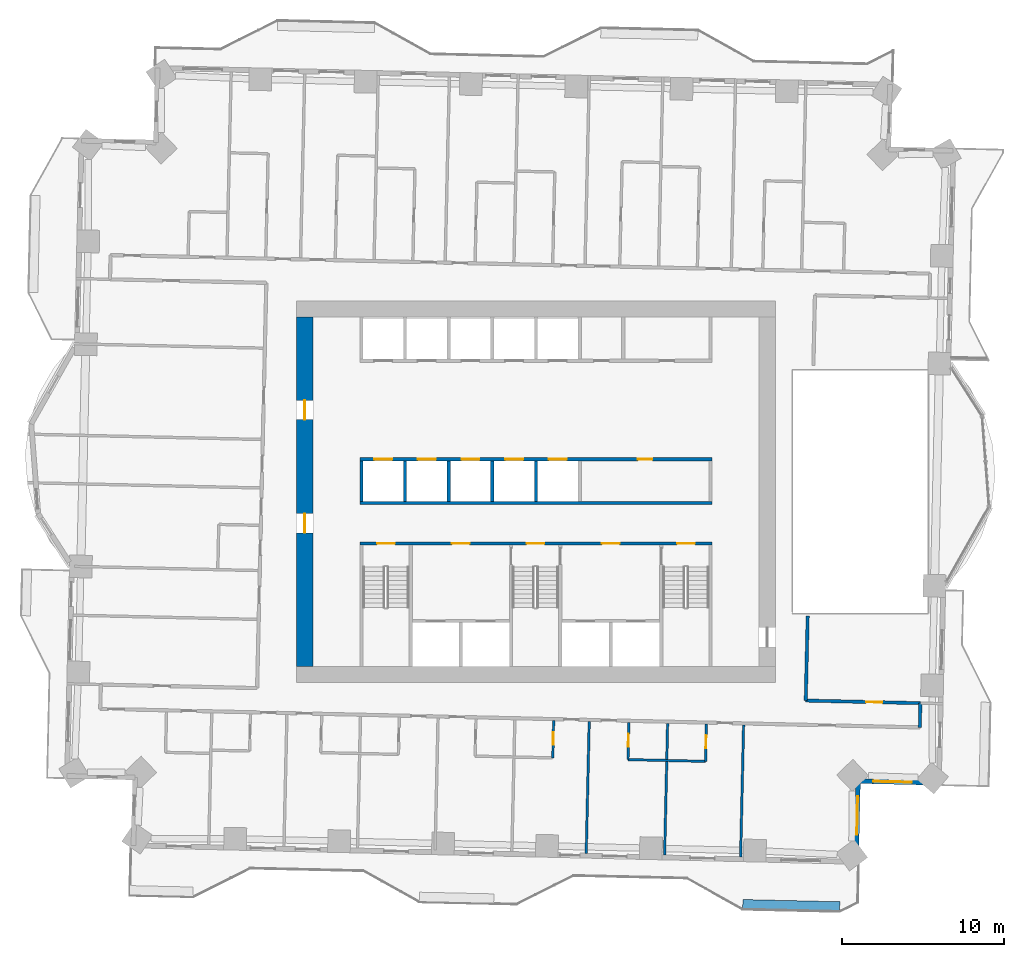
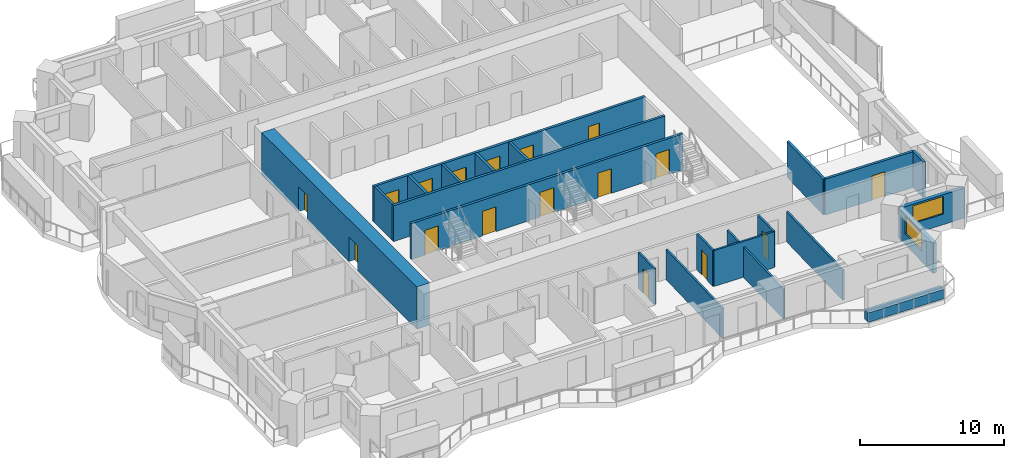
# One storey, part 8 of 16: 22 walls, 17 doors, 2 windows, 19 openings.
"""IFC4 building model written with IfcOpenShell, lengths in metres."""

from ifc_helpers import new_model, si_unit, direction, frame, frame_2d, origin, place, context, subcontext, project, spatial, rectangle, extrude, material, layer, layer_set, type_object, element, fill, save


model = new_model("IFC4")

# Units and contexts
model_context = context("Model", 3, precision=1e-05, world=origin(), true_north=direction((0.0, 1.0)))
body_context = subcontext(model_context, "Body", "Model", "MODEL_VIEW")
ifc_project = project(units=[si_unit("LENGTHUNIT", "METRE"), si_unit("AREAUNIT", "SQUARE_METRE"), si_unit("VOLUMEUNIT", "CUBIC_METRE"), si_unit("PLANEANGLEUNIT", "RADIAN"), si_unit("MASSUNIT", "GRAM", prefix="KILO")], contexts=[model_context])

# Site, building, storey
site_placement = place(None, origin())
site = spatial("IfcSite", under=ifc_project, at=site_placement, CompositionType="ELEMENT")
building_placement = place(site_placement, origin())
building = spatial("IfcBuilding", under=site, at=building_placement, Name="Mangrove Gate Tower", CompositionType="ELEMENT")
storey_placement = place(building_placement, frame((0.0, 0.0, 105.5)))
storey = spatial("IfcBuildingStorey", under=building, at=storey_placement, Name="L26", CompositionType="ELEMENT", Elevation=105.5)

# Wall
ifc_material_1 = material(Name="Concrete C70/85", Category="concrete")
ifc_layer_1 = layer(ifc_material_1, 0.199951171875)
ifc_layer_set_1 = layer_set([ifc_layer_1], Name="Core shaft wall 200 C70/85")
wall_type_1 = type_object("IfcWallType", Name="Core shaft wall 200 C70/85", PredefinedType="SHEAR", material=ifc_layer_set_1)
wall_1_placement = place(storey_placement, frame((-10.89990234375, -0.699951171875, 0.0), z_axis=(0.0, 0.0, 1.0), x_axis=(1.0, 0.0, 0.0)))
element("IfcWall", 1, at=wall_1_placement, inside=storey, type_object=wall_type_1, Name="WALL-L26-CORE-6", PredefinedType="SHEAR", context=body_context, shape_type="SweptSolid", body=[
    extrude(rectangle(XDim=21.7998046875, YDim=0.199951171875, at=frame_2d((10.89990234375, 0.0))), origin(), (0.0, 0.0, 1.0), 3.050048828125),
])

# Wall, openings, doors
wall_2_placement = place(storey_placement, frame((-10.89990234375, 2.0, 0.0), z_axis=(0.0, 0.0, 1.0), x_axis=(1.0, 0.0, 0.0)))
wall_2 = element("IfcWall", 2, at=wall_2_placement, inside=storey, type_object=wall_type_1, Name="WALL-L26-CORE-7", PredefinedType="SHEAR", context=body_context, shape_type="SweptSolid", body=[
    extrude(rectangle(XDim=21.7998046875, YDim=0.199951171875, at=frame_2d((10.89990234375, 0.0))), origin(), (0.0, 0.0, 1.0), 3.050048828125),
])
opening_1_placement = place(wall_2_placement, frame((0.89990234375, 0.0, 0.0)))
opening_1 = element("IfcOpeningElement", 3, at=opening_1_placement, cuts=wall_2, Name="Opening LD", PredefinedType="OPENING", context=body_context, shape_type="SweptSolid", body=[
    extrude(rectangle(XDim=1.10009765625, YDim=2.10009765625, at=frame_2d((0.550048828125, 1.050048828125))), frame((0.0, 0.10986328125, 0.0), z_axis=(0.0, -1.0, 0.0), x_axis=(1.0, 0.0, 0.0)), (0.0, 0.0, 1.0), 0.219970703125),
])
opening_2_placement = place(wall_2_placement, frame((3.60009765625, 0.0, 0.0)))
opening_2 = element("IfcOpeningElement", 4, at=opening_2_placement, cuts=wall_2, Name="Opening LD", PredefinedType="OPENING", context=body_context, shape_type="SweptSolid", body=[
    extrude(rectangle(XDim=1.10009765625, YDim=2.10009765625, at=frame_2d((0.550048828125, 1.050048828125))), frame((0.0, 0.10986328125, 0.0), z_axis=(0.0, -1.0, 0.0), x_axis=(1.0, 0.0, 0.0)), (0.0, 0.0, 1.0), 0.219970703125),
])
opening_3_placement = place(wall_2_placement, frame((6.300048828125, 0.0, 0.0)))
opening_3 = element("IfcOpeningElement", 5, at=opening_3_placement, cuts=wall_2, Name="Opening LD", PredefinedType="OPENING", context=body_context, shape_type="SweptSolid", body=[
    extrude(rectangle(XDim=1.10009765625, YDim=2.10009765625, at=frame_2d((0.550048828125, 1.050048828125))), frame((0.0, 0.10986328125, 0.0), z_axis=(0.0, -1.0, 0.0), x_axis=(1.0, 0.0, 0.0)), (0.0, 0.0, 1.0), 0.219970703125),
])
opening_4_placement = place(wall_2_placement, frame((9.0, 0.0, 0.0)))
opening_4 = element("IfcOpeningElement", 6, at=opening_4_placement, cuts=wall_2, Name="Opening LD", PredefinedType="OPENING", context=body_context, shape_type="SweptSolid", body=[
    extrude(rectangle(XDim=1.10009765625, YDim=2.10009765625, at=frame_2d((0.550048828125, 1.050048828125))), frame((0.0, 0.10986328125, 0.0), z_axis=(0.0, -1.0, 0.0), x_axis=(1.0, 0.0, 0.0)), (0.0, 0.0, 1.0), 0.219970703125),
])
opening_5_placement = place(wall_2_placement, frame((11.699951171875, 0.0, 0.0)))
opening_5 = element("IfcOpeningElement", 7, at=opening_5_placement, cuts=wall_2, Name="Opening LD", PredefinedType="OPENING", context=body_context, shape_type="SweptSolid", body=[
    extrude(rectangle(XDim=1.10009765625, YDim=2.10009765625, at=frame_2d((0.550048828125, 1.050048828125))), frame((0.0, 0.10986328125, 0.0), z_axis=(0.0, -1.0, 0.0), x_axis=(1.0, 0.0, 0.0)), (0.0, 0.0, 1.0), 0.219970703125),
])
opening_6_placement = place(wall_2_placement, frame((17.199951171875, 0.0, 0.0)))
opening_6 = element("IfcOpeningElement", 8, at=opening_6_placement, cuts=wall_2, Name="Opening RD", PredefinedType="OPENING", context=body_context, shape_type="SweptSolid", body=[
    extrude(rectangle(XDim=0.89990234375, YDim=2.10009765625, at=frame_2d((0.449951171875, 1.050048828125))), frame((0.0, 0.10986328125, 0.0), z_axis=(0.0, -1.0, 0.0), x_axis=(1.0, 0.0, 0.0)), (0.0, 0.0, 1.0), 0.219970703125),
])
ifc_material_2 = material(Name="Stainless steel 316", Category="steel")
door_type_1 = type_object("IfcDoorType", Name="Lift landing door 1100x2100", OperationType="SLIDING_TO_LEFT", PredefinedType="DOOR", material=ifc_material_2)
door_1_placement = place(opening_1_placement, origin())
door_1 = element("IfcDoor", 9, at=door_1_placement, inside=storey, type_object=door_type_1, Name="Landing door LD P01", OperationType="SLIDING_TO_LEFT", OverallHeight=2.10009765625, OverallWidth=1.10009765625, PredefinedType="DOOR", context=body_context, shape_type="SweptSolid", body=[
    extrude(rectangle(XDim=1.10009765625, YDim=2.10009765625, at=frame_2d((0.550048828125, 1.050048828125))), frame((0.0, 0.02490234375, 0.0), z_axis=(0.0, -1.0, 0.0), x_axis=(1.0, 0.0, 0.0)), (0.0, 0.0, 1.0), 0.050048828125),
])
fill(opening_1, door_1)
door_2_placement = place(opening_2_placement, origin())
door_2 = element("IfcDoor", 10, at=door_2_placement, inside=storey, type_object=door_type_1, Name="Landing door LD P02", OperationType="SLIDING_TO_LEFT", OverallHeight=2.10009765625, OverallWidth=1.10009765625, PredefinedType="DOOR", context=body_context, shape_type="SweptSolid", body=[
    extrude(rectangle(XDim=1.10009765625, YDim=2.10009765625, at=frame_2d((0.550048828125, 1.050048828125))), frame((0.0, 0.02490234375, 0.0), z_axis=(0.0, -1.0, 0.0), x_axis=(1.0, 0.0, 0.0)), (0.0, 0.0, 1.0), 0.050048828125),
])
fill(opening_2, door_2)
door_3_placement = place(opening_3_placement, origin())
door_3 = element("IfcDoor", 11, at=door_3_placement, inside=storey, type_object=door_type_1, Name="Landing door LD P03", OperationType="SLIDING_TO_LEFT", OverallHeight=2.10009765625, OverallWidth=1.10009765625, PredefinedType="DOOR", context=body_context, shape_type="SweptSolid", body=[
    extrude(rectangle(XDim=1.10009765625, YDim=2.10009765625, at=frame_2d((0.550048828125, 1.050048828125))), frame((0.0, 0.02490234375, 0.0), z_axis=(0.0, -1.0, 0.0), x_axis=(1.0, 0.0, 0.0)), (0.0, 0.0, 1.0), 0.050048828125),
])
fill(opening_3, door_3)
door_4_placement = place(opening_4_placement, origin())
door_4 = element("IfcDoor", 12, at=door_4_placement, inside=storey, type_object=door_type_1, Name="Landing door LD P04", OperationType="SLIDING_TO_LEFT", OverallHeight=2.10009765625, OverallWidth=1.10009765625, PredefinedType="DOOR", context=body_context, shape_type="SweptSolid", body=[
    extrude(rectangle(XDim=1.10009765625, YDim=2.10009765625, at=frame_2d((0.550048828125, 1.050048828125))), frame((0.0, 0.02490234375, 0.0), z_axis=(0.0, -1.0, 0.0), x_axis=(1.0, 0.0, 0.0)), (0.0, 0.0, 1.0), 0.050048828125),
])
fill(opening_4, door_4)
door_5_placement = place(opening_5_placement, origin())
door_5 = element("IfcDoor", 13, at=door_5_placement, inside=storey, type_object=door_type_1, Name="Landing door LD P05", OperationType="SLIDING_TO_LEFT", OverallHeight=2.10009765625, OverallWidth=1.10009765625, PredefinedType="DOOR", context=body_context, shape_type="SweptSolid", body=[
    extrude(rectangle(XDim=1.10009765625, YDim=2.10009765625, at=frame_2d((0.550048828125, 1.050048828125))), frame((0.0, 0.02490234375, 0.0), z_axis=(0.0, -1.0, 0.0), x_axis=(1.0, 0.0, 0.0)), (0.0, 0.0, 1.0), 0.050048828125),
])
fill(opening_5, door_5)
ifc_material_3 = material(Name="Fire-rated steel door set", Category="steel")
door_type_2 = type_object("IfcDoorType", Name="Riser door FD30S 900x2100", OperationType="SINGLE_SWING_LEFT", PredefinedType="DOOR", material=ifc_material_3)
door_6_placement = place(opening_6_placement, origin())
door_6 = element("IfcDoor", 14, at=door_6_placement, inside=storey, type_object=door_type_2, Name="Riser door Electrical room", OperationType="SINGLE_SWING_LEFT", OverallHeight=2.10009765625, OverallWidth=0.89990234375, PredefinedType="DOOR", context=body_context, shape_type="SweptSolid", body=[
    extrude(rectangle(XDim=0.89990234375, YDim=2.10009765625, at=frame_2d((0.449951171875, 1.050048828125))), frame((0.0, 0.02490234375, 0.0), z_axis=(0.0, -1.0, 0.0), x_axis=(1.0, 0.0, 0.0)), (0.0, 0.0, 1.0), 0.050048828125),
])
fill(opening_6, door_6)

# Walls
for number, where, z_axis, x_axis, name in (
    (15, (-10.800048828125, -0.60009765625, 0.0), (0.0, 0.0, 1.0), (0.0, 1.0, 0.0), "WALL-L26-CORE-19"),
    (16, (-8.10009765625, -0.60009765625, 0.0), (0.0, 0.0, 1.0), (0.0, 1.0, 0.0), "WALL-L26-CORE-20"),
    (17, (-5.39990234375, -0.60009765625, 0.0), (0.0, 0.0, 1.0), (0.0, 1.0, 0.0), "WALL-L26-CORE-21"),
    (18, (-2.699951171875, -0.60009765625, 0.0), (0.0, 0.0, 1.0), (0.0, 1.0, 0.0), "WALL-L26-CORE-22"),
    (19, (0.0, -0.60009765625, 0.0), (0.0, 0.0, 1.0), (0.0, 1.0, 0.0), "WALL-L26-CORE-23"),
):
    element("IfcWall", number, at=place(storey_placement, frame(where, z_axis=z_axis, x_axis=x_axis)), inside=storey, type_object=wall_type_1, Name=name, PredefinedType="SHEAR", context=body_context, shape_type="SweptSolid", body=[
        extrude(rectangle(XDim=2.5, YDim=0.199951171875, at=frame_2d((1.25, 0.0))), origin(), (0.0, 0.0, 1.0), 3.050048828125),
    ])

# Wall, openings, doors
ifc_material_4 = material(Name="Concrete C70/85", Category="concrete")
ifc_layer_2 = layer(ifc_material_4, 0.199951171875)
ifc_layer_set_2 = layer_set([ifc_layer_2], Name="Core stair wall 200 C70/85")
wall_type_2 = type_object("IfcWallType", Name="Core stair wall 200 C70/85", PredefinedType="SHEAR", material=ifc_layer_set_2)
wall_3_placement = place(storey_placement, frame((-10.89990234375, -3.199951171875, 0.0), z_axis=(0.0, 0.0, 1.0), x_axis=(1.0, 0.0, 0.0)))
wall_3 = element("IfcWall", 20, at=wall_3_placement, inside=storey, type_object=wall_type_2, Name="WALL-L26-CORE-5", PredefinedType="SHEAR", context=body_context, shape_type="SweptSolid", body=[
    extrude(rectangle(XDim=21.7998046875, YDim=0.199951171875, at=frame_2d((10.89990234375, 0.0))), origin(), (0.0, 0.0, 1.0), 3.050048828125),
])
opening_7_placement = place(wall_3_placement, frame((1.074951171875, 0.0, 0.0)))
opening_7 = element("IfcOpeningElement", 21, at=opening_7_placement, cuts=wall_3, Name="Opening STD11", PredefinedType="OPENING", context=body_context, shape_type="SweptSolid", body=[
    extrude(rectangle(XDim=1.10009765625, YDim=2.10009765625, at=frame_2d((0.550048828125, 1.050048828125))), frame((0.0, 0.10986328125, 0.0), z_axis=(0.0, -1.0, 0.0), x_axis=(1.0, 0.0, 0.0)), (0.0, 0.0, 1.0), 0.219970703125),
])
opening_8_placement = place(wall_3_placement, frame((10.324951171875, 0.0, 0.0)))
opening_8 = element("IfcOpeningElement", 22, at=opening_8_placement, cuts=wall_3, Name="Opening STD11", PredefinedType="OPENING", context=body_context, shape_type="SweptSolid", body=[
    extrude(rectangle(XDim=1.10009765625, YDim=2.10009765625, at=frame_2d((0.550048828125, 1.050048828125))), frame((0.0, 0.10986328125, 0.0), z_axis=(0.0, -1.0, 0.0), x_axis=(1.0, 0.0, 0.0)), (0.0, 0.0, 1.0), 0.219970703125),
])
opening_9_placement = place(wall_3_placement, frame((19.625, 0.0, 0.0)))
opening_9 = element("IfcOpeningElement", 23, at=opening_9_placement, cuts=wall_3, Name="Opening STD11", PredefinedType="OPENING", context=body_context, shape_type="SweptSolid", body=[
    extrude(rectangle(XDim=1.10009765625, YDim=2.10009765625, at=frame_2d((0.550048828125, 1.050048828125))), frame((0.0, 0.10986328125, 0.0), z_axis=(0.0, -1.0, 0.0), x_axis=(1.0, 0.0, 0.0)), (0.0, 0.0, 1.0), 0.219970703125),
])
opening_10_placement = place(wall_3_placement, frame((5.699951171875, 0.0, 0.0)))
opening_10 = element("IfcOpeningElement", 24, at=opening_10_placement, cuts=wall_3, Name="Opening FL", PredefinedType="OPENING", context=body_context, shape_type="SweptSolid", body=[
    extrude(rectangle(XDim=1.10009765625, YDim=2.10009765625, at=frame_2d((0.550048828125, 1.050048828125))), frame((0.0, 0.10986328125, 0.0), z_axis=(0.0, -1.0, 0.0), x_axis=(1.0, 0.0, 0.0)), (0.0, 0.0, 1.0), 0.219970703125),
])
opening_11_placement = place(wall_3_placement, frame((14.97509765625, 0.0, 0.0)))
opening_11 = element("IfcOpeningElement", 25, at=opening_11_placement, cuts=wall_3, Name="Opening FL", PredefinedType="OPENING", context=body_context, shape_type="SweptSolid", body=[
    extrude(rectangle(XDim=1.10009765625, YDim=2.10009765625, at=frame_2d((0.550048828125, 1.050048828125))), frame((0.0, 0.10986328125, 0.0), z_axis=(0.0, -1.0, 0.0), x_axis=(1.0, 0.0, 0.0)), (0.0, 0.0, 1.0), 0.219970703125),
])
ifc_material_5 = material(Name="Fire-rated steel door set", Category="steel")
door_type_3 = type_object("IfcDoorType", Name="Lobby door FD60 1100x2100", OperationType="SINGLE_SWING_LEFT", PredefinedType="DOOR", material=ifc_material_5)
door_7_placement = place(opening_10_placement, origin())
door_7 = element("IfcDoor", 26, at=door_7_placement, inside=storey, type_object=door_type_3, Name="Lobby door service lobby", OperationType="SINGLE_SWING_LEFT", OverallHeight=2.10009765625, OverallWidth=1.10009765625, PredefinedType="DOOR", context=body_context, shape_type="SweptSolid", body=[
    extrude(rectangle(XDim=1.10009765625, YDim=2.10009765625, at=frame_2d((0.550048828125, 1.050048828125))), frame((0.0, 0.02490234375, 0.0), z_axis=(0.0, -1.0, 0.0), x_axis=(1.0, 0.0, 0.0)), (0.0, 0.0, 1.0), 0.050048828125),
])
fill(opening_10, door_7)
door_8_placement = place(opening_11_placement, origin())
door_8 = element("IfcDoor", 27, at=door_8_placement, inside=storey, type_object=door_type_3, Name="Lobby door fire-fighting lobby", OperationType="SINGLE_SWING_LEFT", OverallHeight=2.10009765625, OverallWidth=1.10009765625, PredefinedType="DOOR", context=body_context, shape_type="SweptSolid", body=[
    extrude(rectangle(XDim=1.10009765625, YDim=2.10009765625, at=frame_2d((0.550048828125, 1.050048828125))), frame((0.0, 0.02490234375, 0.0), z_axis=(0.0, -1.0, 0.0), x_axis=(1.0, 0.0, 0.0)), (0.0, 0.0, 1.0), 0.050048828125),
])
fill(opening_11, door_8)
ifc_material_6 = material(Name="Fire-rated steel door set", Category="steel")
door_type_4 = type_object("IfcDoorType", Name="Stair door FD60 1100x2100", OperationType="SINGLE_SWING_RIGHT", PredefinedType="DOOR", material=ifc_material_6)
door_9_placement = place(opening_7_placement, origin())
door_9 = element("IfcDoor", 28, at=door_9_placement, inside=storey, type_object=door_type_4, Name="Stair door Stair 1", OperationType="SINGLE_SWING_RIGHT", OverallHeight=2.10009765625, OverallWidth=1.10009765625, PredefinedType="DOOR", context=body_context, shape_type="SweptSolid", body=[
    extrude(rectangle(XDim=1.10009765625, YDim=2.10009765625, at=frame_2d((0.550048828125, 1.050048828125))), frame((0.0, 0.02490234375, 0.0), z_axis=(0.0, -1.0, 0.0), x_axis=(1.0, 0.0, 0.0)), (0.0, 0.0, 1.0), 0.050048828125),
])
fill(opening_7, door_9)
door_10_placement = place(opening_8_placement, origin())
door_10 = element("IfcDoor", 29, at=door_10_placement, inside=storey, type_object=door_type_4, Name="Stair door Stair 2", OperationType="SINGLE_SWING_RIGHT", OverallHeight=2.10009765625, OverallWidth=1.10009765625, PredefinedType="DOOR", context=body_context, shape_type="SweptSolid", body=[
    extrude(rectangle(XDim=1.10009765625, YDim=2.10009765625, at=frame_2d((0.550048828125, 1.050048828125))), frame((0.0, 0.02490234375, 0.0), z_axis=(0.0, -1.0, 0.0), x_axis=(1.0, 0.0, 0.0)), (0.0, 0.0, 1.0), 0.050048828125),
])
fill(opening_8, door_10)
door_11_placement = place(opening_9_placement, origin())
door_11 = element("IfcDoor", 30, at=door_11_placement, inside=storey, type_object=door_type_4, Name="Stair door Stair 3", OperationType="SINGLE_SWING_RIGHT", OverallHeight=2.10009765625, OverallWidth=1.10009765625, PredefinedType="DOOR", context=body_context, shape_type="SweptSolid", body=[
    extrude(rectangle(XDim=1.10009765625, YDim=2.10009765625, at=frame_2d((0.550048828125, 1.050048828125))), frame((0.0, 0.02490234375, 0.0), z_axis=(0.0, -1.0, 0.0), x_axis=(1.0, 0.0, 0.0)), (0.0, 0.0, 1.0), 0.050048828125),
])
fill(opening_9, door_11)

ifc_material_7 = material(Name="Concrete C70/85", Category="concrete")
ifc_layer_3 = layer(ifc_material_7, 1.0)
ifc_layer_set_3 = layer_set([ifc_layer_3], Name="Core wall 1000 C70/85")
wall_type_3 = type_object("IfcWallType", Name="Core wall 1000 C70/85", PredefinedType="SHEAR", material=ifc_layer_set_3)
wall_4_placement = place(storey_placement, frame((-14.300048828125, -10.800048828125, 0.0), z_axis=(0.0, 0.0, 1.0), x_axis=(0.0, 1.0, 0.0)))
wall_4 = element("IfcWall", 31, at=wall_4_placement, inside=storey, type_object=wall_type_3, Name="WALL-L26-CORE-3", PredefinedType="SHEAR", context=body_context, shape_type="SweptSolid", body=[
    extrude(rectangle(XDim=21.60009765625, YDim=1.0, at=frame_2d((10.800048828125, 0.0))), origin(), (0.0, 0.0, 1.0), 3.60009765625),
])
opening_12_placement = place(wall_4_placement, frame((8.25, 0.0, 0.0)))
opening_12 = element("IfcOpeningElement", 32, at=opening_12_placement, cuts=wall_4, Name="Opening CD", PredefinedType="OPENING", context=body_context, shape_type="SweptSolid", body=[
    extrude(rectangle(XDim=1.199951171875, YDim=2.10009765625, at=frame_2d((0.60009765625, 1.050048828125))), frame((0.0, 0.510009765625, 0.0), z_axis=(0.0, -1.0, 0.0), x_axis=(1.0, 0.0, 0.0)), (0.0, 0.0, 1.0), 1.02001953125),
])
opening_13_placement = place(wall_4_placement, frame((15.25, 0.0, 0.0)))
opening_13 = element("IfcOpeningElement", 33, at=opening_13_placement, cuts=wall_4, Name="Opening CD", PredefinedType="OPENING", context=body_context, shape_type="SweptSolid", body=[
    extrude(rectangle(XDim=1.199951171875, YDim=2.10009765625, at=frame_2d((0.60009765625, 1.050048828125))), frame((0.0, 0.510009765625, 0.0), z_axis=(0.0, -1.0, 0.0), x_axis=(1.0, 0.0, 0.0)), (0.0, 0.0, 1.0), 1.02001953125),
])
ifc_material_8 = material(Name="Fire-rated steel door set", Category="steel")
door_type_5 = type_object("IfcDoorType", Name="Core ring door FD60 1200x2100", OperationType="DOUBLE_DOOR_SINGLE_SWING", PredefinedType="DOOR", material=ifc_material_8)
door_12_placement = place(opening_12_placement, origin())
door_12 = element("IfcDoor", 34, at=door_12_placement, inside=storey, type_object=door_type_5, Name="Core ring door W1", OperationType="DOUBLE_DOOR_SINGLE_SWING", OverallHeight=2.10009765625, OverallWidth=1.199951171875, PredefinedType="DOOR", context=body_context, shape_type="SweptSolid", body=[
    extrude(rectangle(XDim=1.199951171875, YDim=2.10009765625, at=frame_2d((0.60009765625, 1.050048828125))), frame((0.0, 0.02490234375, 0.0), z_axis=(0.0, -1.0, 0.0), x_axis=(1.0, 0.0, 0.0)), (0.0, 0.0, 1.0), 0.050048828125),
])
fill(opening_12, door_12)
door_13_placement = place(opening_13_placement, origin())
door_13 = element("IfcDoor", 35, at=door_13_placement, inside=storey, type_object=door_type_5, Name="Core ring door W2", OperationType="DOUBLE_DOOR_SINGLE_SWING", OverallHeight=2.10009765625, OverallWidth=1.199951171875, PredefinedType="DOOR", context=body_context, shape_type="SweptSolid", body=[
    extrude(rectangle(XDim=1.199951171875, YDim=2.10009765625, at=frame_2d((0.60009765625, 1.050048828125))), frame((0.0, 0.02490234375, 0.0), z_axis=(0.0, -1.0, 0.0), x_axis=(1.0, 0.0, 0.0)), (0.0, 0.0, 1.0), 0.050048828125),
])
fill(opening_13, door_13)

# Wall
ifc_material_9 = material(Name="Gypsum board on steel stud, EI 60", Category="steel")
ifc_layer_4 = layer(ifc_material_9, 0.199951171875)
ifc_layer_set_4 = layer_set([ifc_layer_4], Name="Corridor wall EI 60")
wall_type_4 = type_object("IfcWallType", Name="Corridor wall EI 60", PredefinedType="PARTITIONING", material=ifc_layer_set_4)
wall_5_placement = place(storey_placement, frame((23.738037109375, -14.5791015625, 0.0), z_axis=(0.0, 0.0, 1.0), x_axis=(0.022617910375, 0.999744182344, 0.0)))
element("IfcWall", 36, at=wall_5_placement, inside=storey, type_object=wall_type_4, Name="WALL-L26-024", PredefinedType="PARTITIONING", context=body_context, shape_type="SweptSolid", body=[
    extrude(rectangle(XDim=1.50048828125, YDim=0.199951171875, at=frame_2d((0.750244140625, 0.0))), origin(), (0.0, 0.0, 1.0), 3.050048828125),
])

# Wall, opening, door
wall_6_placement = place(storey_placement, frame((16.678955078125, -12.91796875, 0.0), z_axis=(0.0, 0.0, 1.0), x_axis=(0.999739218926, -0.02283624622, 0.0)))
wall_6 = element("IfcWall", 37, at=wall_6_placement, inside=storey, type_object=wall_type_4, Name="WALL-L26-028", PredefinedType="PARTITIONING", context=body_context, shape_type="SweptSolid", body=[
    extrude(rectangle(XDim=7.098876953125, YDim=0.199951171875, at=frame_2d((3.54931640625, 0.0))), origin(), (0.0, 0.0, 1.0), 3.050048828125),
])
opening_14_placement = place(wall_6_placement, frame((3.7490234375, 0.0, 0.0)))
opening_14 = element("IfcOpeningElement", 38, at=opening_14_placement, cuts=wall_6, Name="Opening AD", PredefinedType="OPENING", context=body_context, shape_type="SweptSolid", body=[
    extrude(rectangle(XDim=1.0, YDim=2.10009765625, at=frame_2d((0.5, 1.050048828125))), frame((0.0, 0.10986328125, 0.0), z_axis=(0.0, -1.0, 0.0), x_axis=(1.0, 0.0, 0.0)), (0.0, 0.0, 1.0), 0.219970703125),
])
ifc_material_10 = material(Name="Timber door leaf", Category="wood")
door_type_6 = type_object("IfcDoorType", Name="Amenity door 1000", OperationType="SINGLE_SWING_LEFT", PredefinedType="DOOR", material=ifc_material_10)
door_14_placement = place(opening_14_placement, origin())
door_14 = element("IfcDoor", 39, at=door_14_placement, inside=storey, type_object=door_type_6, Name="DOOR-L26-KIT-c3a", OperationType="SINGLE_SWING_LEFT", OverallHeight=2.10009765625, OverallWidth=1.0, PredefinedType="DOOR", context=body_context, shape_type="SweptSolid", body=[
    extrude(rectangle(XDim=1.0, YDim=2.10009765625, at=frame_2d((0.5, 1.050048828125))), frame((0.0, 0.02490234375, 0.0), z_axis=(0.0, -1.0, 0.0), x_axis=(1.0, 0.0, 0.0)), (0.0, 0.0, 1.0), 0.050048828125),
])
fill(opening_14, door_14)

# Wall
wall_7_placement = place(storey_placement, frame((16.68408203125, -12.9189453125, 0.0), z_axis=(0.0, 0.0, 1.0), x_axis=(0.022667483124, 0.999743059595, 0.0)))
element("IfcWall", 40, at=wall_7_placement, inside=storey, type_object=wall_type_4, Name="WALL-L26-029", PredefinedType="PARTITIONING", context=body_context, shape_type="SweptSolid", body=[
    extrude(rectangle(XDim=5.245361328125, YDim=0.199951171875, at=frame_2d((2.62255859375, 0.0))), origin(), (0.0, 0.0, 1.0), 3.050048828125),
])

# Wall, opening, window
ifc_material_11 = material(Name="Limestone", Category="masonry")
ifc_layer_5 = layer(ifc_material_11, 0.0400390625, Name="Limestone cladding")
ifc_material_12 = material(Name="Ventilated air gap")
ifc_layer_6 = layer(ifc_material_12, 0.0400390625, Name="Ventilated cavity")
ifc_material_13 = material(Name="Mineral wool insulation")
ifc_layer_7 = layer(ifc_material_13, 0.06005859375, Name="Insulation")
ifc_material_14 = material(Name="Breather membrane")
ifc_layer_8 = layer(ifc_material_14, 0.001953125, Name="Breather membrane")
ifc_material_15 = material(Name="Concrete C20/25 blockwork", Category="masonry")
ifc_layer_9 = layer(ifc_material_15, 0.14990234375, Name="Blockwork backing wall")
ifc_material_16 = material(Name="Gypsum plaster")
ifc_layer_10 = layer(ifc_material_16, 0.008056640625, Name="Internal plaster")
ifc_layer_set_5 = layer_set([ifc_layer_5, ifc_layer_6, ifc_layer_7, ifc_layer_8, ifc_layer_9, ifc_layer_10], Name="External wall 300 limestone cladding")
wall_type_5 = type_object("IfcWallType", Name="External wall 300 limestone cladding", PredefinedType="SOLIDWALL", material=ifc_layer_set_5)
wall_8_placement = place(storey_placement, frame((19.802978515625, -22.89208984375, 0.0), z_axis=(0.0, 0.0, 1.0), x_axis=(0.022606059803, 0.999744450377, 0.0)))
wall_8 = element("IfcWall", 41, at=wall_8_placement, inside=storey, type_object=wall_type_5, Name="WALL-L26-E14", PredefinedType="SOLIDWALL", context=body_context, shape_type="SweptSolid", body=[
    extrude(rectangle(XDim=5.000244140625, YDim=0.300048828125, at=frame_2d((2.5, 0.0))), origin(), (0.0, 0.0, 1.0), 2.550048828125),
])
opening_15_placement = place(wall_8_placement, frame((1.669921875, 0.0, 0.89990234375)))
opening_15 = element("IfcOpeningElement", 42, at=opening_15_placement, cuts=wall_8, Name="Opening W2", PredefinedType="OPENING", context=body_context, shape_type="SweptSolid", body=[
    extrude(rectangle(XDim=2.39990234375, YDim=1.5, at=frame_2d((1.199951171875, 0.75))), frame((0.0, 0.159912109375, 0.0), z_axis=(0.0, -1.0, 0.0), x_axis=(1.0, 0.0, 0.0)), (0.0, 0.0, 1.0), 0.320068359375),
])
ifc_material_17 = material(Name="Aluminium frame with double-glazed low-e glass", Category="aluminium")
window_type = type_object("IfcWindowType", Name="Corner room window 2400x1500", PartitioningType="DOUBLE_PANEL_VERTICAL", PredefinedType="WINDOW", material=ifc_material_17)
window_1_placement = place(opening_15_placement, origin())
window_1 = element("IfcWindow", 43, at=window_1_placement, inside=storey, type_object=window_type, Name="WIN-L26-E14-1", OverallHeight=1.5, OverallWidth=2.39990234375, PartitioningType="DOUBLE_PANEL_VERTICAL", PredefinedType="WINDOW", context=body_context, shape_type="SweptSolid", body=[
    extrude(rectangle(XDim=2.39990234375, YDim=1.5, at=frame_2d((1.199951171875, 0.75))), frame((0.0, 0.030029296875, 0.0), z_axis=(0.0, -1.0, 0.0), x_axis=(1.0, 0.0, 0.0)), (0.0, 0.0, 1.0), 0.06005859375),
])
fill(opening_15, window_1)

wall_9_placement = place(storey_placement, frame((19.916015625, -17.89306640625, 0.0), z_axis=(0.0, 0.0, 1.0), x_axis=(0.999740017489, -0.022801259434, 0.0)))
wall_9 = element("IfcWall", 44, at=wall_9_placement, inside=storey, type_object=wall_type_5, Name="WALL-L26-S15", PredefinedType="SOLIDWALL", context=body_context, shape_type="SweptSolid", body=[
    extrude(rectangle(XDim=5.000244140625, YDim=0.300048828125, at=frame_2d((2.5, 0.0))), origin(), (0.0, 0.0, 1.0), 2.550048828125),
])
opening_16_placement = place(wall_9_placement, frame((0.93310546875, 0.0, 0.89990234375)))
opening_16 = element("IfcOpeningElement", 45, at=opening_16_placement, cuts=wall_9, Name="Opening W2", PredefinedType="OPENING", context=body_context, shape_type="SweptSolid", body=[
    extrude(rectangle(XDim=2.39990234375, YDim=1.5, at=frame_2d((1.199951171875, 0.75))), frame((0.0, 0.159912109375, 0.0), z_axis=(0.0, -1.0, 0.0), x_axis=(1.0, 0.0, 0.0)), (0.0, 0.0, 1.0), 0.320068359375),
])
window_2_placement = place(opening_16_placement, origin())
window_2 = element("IfcWindow", 46, at=window_2_placement, inside=storey, type_object=window_type, Name="WIN-L26-S15-1", OverallHeight=1.5, OverallWidth=2.39990234375, PartitioningType="DOUBLE_PANEL_VERTICAL", PredefinedType="WINDOW", context=body_context, shape_type="SweptSolid", body=[
    extrude(rectangle(XDim=2.39990234375, YDim=1.5, at=frame_2d((1.199951171875, 0.75))), frame((0.0, 0.030029296875, 0.0), z_axis=(0.0, -1.0, 0.0), x_axis=(1.0, 0.0, 0.0)), (0.0, 0.0, 1.0), 0.06005859375),
])
fill(opening_16, window_2)

# Walls
ifc_material_18 = material(Name="Gypsum board on steel stud, EI 60", Category="steel")
ifc_layer_11 = layer(ifc_material_18, 0.14990234375)
ifc_layer_set_6 = layer_set([ifc_layer_11], Name="Party wall 150 EI 60")
wall_type_6 = type_object("IfcWallType", Name="Party wall 150 EI 60", PredefinedType="PARTITIONING", material=ifc_layer_set_6)
for number, where, z_axis, x_axis, name in (
    (47, (3.10595703125, -22.363037109375, 0.0), (0.0, 0.0, 1.0), (0.022706435224, 0.999742175663, 0.0), "WALL-L26-006"),
    (48, (7.955078125, -22.472900390625, 0.0), (0.0, 0.0, 1.0), (0.022676494918, 0.999742855227, 0.0), "WALL-L26-007"),
):
    element("IfcWall", number, at=place(storey_placement, frame(where, z_axis=z_axis, x_axis=x_axis)), inside=storey, type_object=wall_type_6, Name=name, PredefinedType="PARTITIONING", context=body_context, shape_type="SweptSolid", body=[
        extrude(rectangle(XDim=8.150146484375, YDim=0.14990234375, at=frame_2d((4.0751953125, 0.0))), origin(), (0.0, 0.0, 1.0), 2.550048828125),
    ])
wall_10_placement = place(storey_placement, frame((12.654052734375, -22.580078125, 0.0), z_axis=(0.0, 0.0, 1.0), x_axis=(0.022705755232, 0.999742191107, 0.0)))
element("IfcWall", 49, at=wall_10_placement, inside=storey, type_object=wall_type_6, Name="WALL-L26-008", PredefinedType="PARTITIONING", context=body_context, shape_type="SweptSolid", body=[
    extrude(rectangle(XDim=8.150390625, YDim=0.14990234375, at=frame_2d((4.0751953125, 0.0))), origin(), (0.0, 0.0, 1.0), 2.550048828125),
])

# Wall, opening, door
wall_11_placement = place(storey_placement, frame((1.0400390625, -16.465087890625, 0.0), z_axis=(0.0, 0.0, 1.0), x_axis=(0.022603288534, 0.999744513037, 0.0)))
wall_11 = element("IfcWall", 50, at=wall_11_placement, inside=storey, type_object=wall_type_6, Name="WALL-L26-018", PredefinedType="PARTITIONING", context=body_context, shape_type="SweptSolid", body=[
    extrude(rectangle(XDim=2.300537109375, YDim=0.14990234375, at=frame_2d((1.150390625, 0.0))), origin(), (0.0, 0.0, 1.0), 3.050048828125),
])
opening_17_placement = place(wall_11_placement, frame((0.800048828125, 0.0, 0.0)))
opening_17 = element("IfcOpeningElement", 51, at=opening_17_placement, cuts=wall_11, Name="Opening ED", PredefinedType="OPENING", context=body_context, shape_type="SweptSolid", body=[
    extrude(rectangle(XDim=0.800048828125, YDim=2.10009765625, at=frame_2d((0.39990234375, 1.050048828125))), frame((0.0, 0.0849609375, 0.0), z_axis=(0.0, -1.0, 0.0), x_axis=(1.0, 0.0, 0.0)), (0.0, 0.0, 1.0), 0.169921875),
])
ifc_material_19 = material(Name="Timber door leaf", Category="wood")
door_type_7 = type_object("IfcDoorType", Name="En-suite door 800", OperationType="SINGLE_SWING_LEFT", PredefinedType="DOOR", material=ifc_material_19)
door_15_placement = place(opening_17_placement, origin())
door_15 = element("IfcDoor", 52, at=door_15_placement, inside=storey, type_object=door_type_7, Name="DOOR-L26-ENS-c205", OperationType="SINGLE_SWING_LEFT", OverallHeight=2.10009765625, OverallWidth=0.800048828125, PredefinedType="DOOR", context=body_context, shape_type="SweptSolid", body=[
    extrude(rectangle(XDim=0.800048828125, YDim=2.10009765625, at=frame_2d((0.39990234375, 1.050048828125))), frame((0.0, 0.02490234375, 0.0), z_axis=(0.0, -1.0, 0.0), x_axis=(1.0, 0.0, 0.0)), (0.0, 0.0, 1.0), 0.050048828125),
])
fill(opening_17, door_15)

# Wall
wall_12_placement = place(storey_placement, frame((5.68505859375, -16.570068359375, 0.0), z_axis=(0.0, 0.0, 1.0), x_axis=(0.999742570398, -0.022689048768, 0.0)))
element("IfcWall", 53, at=wall_12_placement, inside=storey, type_object=wall_type_6, Name="WALL-L26-019", PredefinedType="PARTITIONING", context=body_context, shape_type="SweptSolid", body=[
    extrude(rectangle(XDim=4.799072265625, YDim=0.14990234375, at=frame_2d((2.3994140625, 0.0))), origin(), (0.0, 0.0, 1.0), 3.050048828125),
])

# Wall, opening, door
wall_13_placement = place(storey_placement, frame((5.68896484375, -16.570068359375, 0.0), z_axis=(0.0, 0.0, 1.0), x_axis=(0.022612884682, 0.999744296031, 0.0)))
wall_13 = element("IfcWall", 54, at=wall_13_placement, inside=storey, type_object=wall_type_6, Name="WALL-L26-020", PredefinedType="PARTITIONING", context=body_context, shape_type="SweptSolid", body=[
    extrude(rectangle(XDim=2.299560546875, YDim=0.14990234375, at=frame_2d((1.14990234375, 0.0))), origin(), (0.0, 0.0, 1.0), 3.050048828125),
])
opening_18_placement = place(wall_13_placement, frame((0.800048828125, 0.0, 0.0)))
opening_18 = element("IfcOpeningElement", 55, at=opening_18_placement, cuts=wall_13, Name="Opening ED", PredefinedType="OPENING", context=body_context, shape_type="SweptSolid", body=[
    extrude(rectangle(XDim=0.800048828125, YDim=2.10009765625, at=frame_2d((0.39990234375, 1.050048828125))), frame((0.0, 0.0849609375, 0.0), z_axis=(0.0, -1.0, 0.0), x_axis=(1.0, 0.0, 0.0)), (0.0, 0.0, 1.0), 0.169921875),
])
door_16_placement = place(opening_18_placement, origin())
door_16 = element("IfcDoor", 56, at=door_16_placement, inside=storey, type_object=door_type_7, Name="DOOR-L26-ENS-c206", OperationType="SINGLE_SWING_RIGHT", OverallHeight=2.10009765625, OverallWidth=0.800048828125, PredefinedType="DOOR", context=body_context, shape_type="SweptSolid", body=[
    extrude(rectangle(XDim=0.800048828125, YDim=2.10009765625, at=frame_2d((0.39990234375, 1.050048828125))), frame((0.0, 0.02490234375, 0.0), z_axis=(0.0, -1.0, 0.0), x_axis=(1.0, 0.0, 0.0)), (0.0, 0.0, 1.0), 0.050048828125),
])
fill(opening_18, door_16)

wall_14_placement = place(storey_placement, frame((10.487060546875, -16.678955078125, 0.0), z_axis=(0.0, 0.0, 1.0), x_axis=(0.022612884682, 0.999744296031, 0.0)))
wall_14 = element("IfcWall", 57, at=wall_14_placement, inside=storey, type_object=wall_type_6, Name="WALL-L26-021", PredefinedType="PARTITIONING", context=body_context, shape_type="SweptSolid", body=[
    extrude(rectangle(XDim=2.299560546875, YDim=0.14990234375, at=frame_2d((1.14990234375, 0.0))), origin(), (0.0, 0.0, 1.0), 3.050048828125),
])
opening_19_placement = place(wall_14_placement, frame((0.800048828125, 0.0, 0.0)))
opening_19 = element("IfcOpeningElement", 58, at=opening_19_placement, cuts=wall_14, Name="Opening ED", PredefinedType="OPENING", context=body_context, shape_type="SweptSolid", body=[
    extrude(rectangle(XDim=0.800048828125, YDim=2.10009765625, at=frame_2d((0.39990234375, 1.050048828125))), frame((0.0, 0.0849609375, 0.0), z_axis=(0.0, -1.0, 0.0), x_axis=(1.0, 0.0, 0.0)), (0.0, 0.0, 1.0), 0.169921875),
])
door_17_placement = place(opening_19_placement, origin())
door_17 = element("IfcDoor", 59, at=door_17_placement, inside=storey, type_object=door_type_7, Name="DOOR-L26-ENS-c307", OperationType="SINGLE_SWING_LEFT", OverallHeight=2.10009765625, OverallWidth=0.800048828125, PredefinedType="DOOR", context=body_context, shape_type="SweptSolid", body=[
    extrude(rectangle(XDim=0.800048828125, YDim=2.10009765625, at=frame_2d((0.39990234375, 1.050048828125))), frame((0.0, 0.02490234375, 0.0), z_axis=(0.0, -1.0, 0.0), x_axis=(1.0, 0.0, 0.0)), (0.0, 0.0, 1.0), 0.050048828125),
])
fill(opening_19, door_17)

# Wall
ifc_material_20 = material(Name="Concrete C32/40", Category="concrete")
ifc_layer_12 = layer(ifc_material_20, 0.199951171875, Name="Planter trough wall")
ifc_material_21 = material(Name="Bituminous waterproofing membrane")
ifc_layer_13 = layer(ifc_material_21, 0.0048828125, Name="Waterproofing")
ifc_material_22 = material(Name="Drainage board and gravel")
ifc_layer_14 = layer(ifc_material_22, 0.044921875, Name="Drainage layer")
ifc_material_23 = material(Name="Planting soil")
ifc_layer_15 = layer(ifc_material_23, 0.300048828125, Name="Growing medium")
ifc_layer_set_7 = layer_set([ifc_layer_12, ifc_layer_13, ifc_layer_14, ifc_layer_15], Name="Planter wall 550 C32/40")
wall_type_7 = type_object("IfcWallType", Name="Planter wall 550 C32/40", PredefinedType="USERDEFINED", material=ifc_layer_set_7)
wall_15_placement = place(storey_placement, frame((12.7880859375, -25.498046875, 0.0), z_axis=(0.0, 0.0, 1.0), x_axis=(0.999739371644, -0.02282955947, 0.0)))
element("IfcWall", 60, at=wall_15_placement, inside=storey, type_object=wall_type_7, Name="PLANTER L26 S1.1", ObjectType="PLANTER", PredefinedType="USERDEFINED", context=body_context, shape_type="SweptSolid", body=[
    extrude(rectangle(XDim=5.999267578125, YDim=0.550048828125, at=frame_2d((2.99951171875, 0.0))), origin(), (0.0, 0.0, 1.0), 0.800048828125),
])

save(model, "model.ifc")
